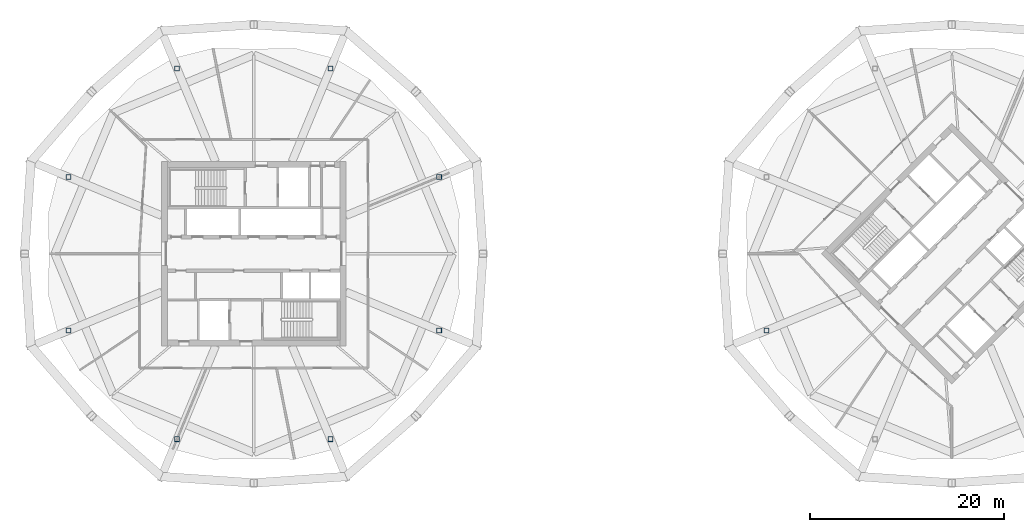
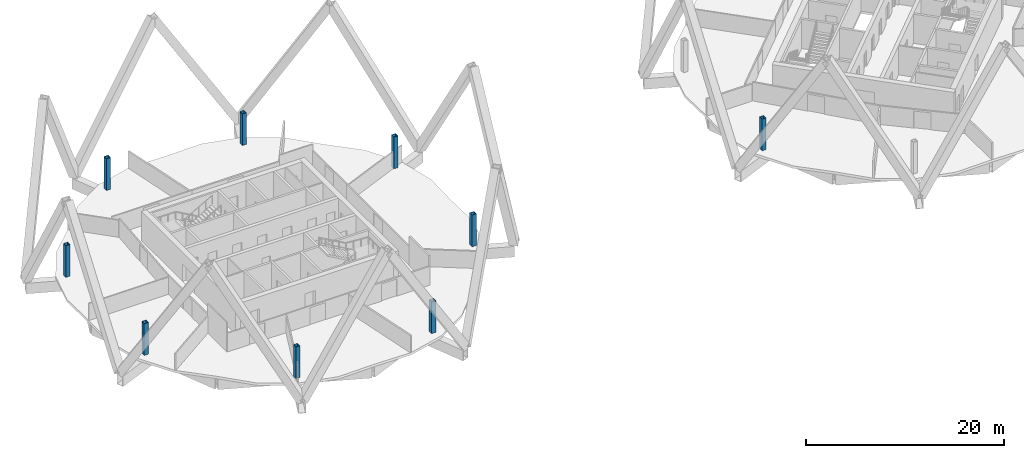
# One storey, part 1 of 9: 9 columns.
"""IFC4 building model written with IfcOpenShell, lengths in metres."""

from ifc_helpers import new_model, si_unit, direction, frame, origin, origin_2d, place, context, subcontext, project, spatial, hollow_rectangle, extrude, material, material_profile, profile_set, type_object, element, save


model = new_model("IFC4")

# Units and contexts
model_context = context("Model", 3, precision=1e-05, world=origin(), true_north=direction((0.0, 1.0)))
body_context = subcontext(model_context, "Body", "Model", "MODEL_VIEW")
ifc_project = project(units=[si_unit("LENGTHUNIT", "METRE"), si_unit("AREAUNIT", "SQUARE_METRE"), si_unit("VOLUMEUNIT", "CUBIC_METRE"), si_unit("PLANEANGLEUNIT", "RADIAN"), si_unit("MASSUNIT", "GRAM", prefix="KILO")], contexts=[model_context])

# Site, building, storey
site_placement = place(None, origin())
site = spatial("IfcSite", under=ifc_project, at=site_placement, CompositionType="ELEMENT")
building_placement = place(site_placement, origin())
building = spatial("IfcBuilding", under=site, at=building_placement, Name="Ogive Gate Towers", CompositionType="ELEMENT")
storey_placement = place(building_placement, frame((0.0, 0.0, 200.699951171875)))
storey = spatial("IfcBuildingStorey", under=building, at=storey_placement, Name="L48", CompositionType="ELEMENT", Elevation=200.699951171875)

# Columns
ifc_material = material(Name="Steel SM460", Category="steel")
ifc_material_profile = material_profile(ifc_material, hollow_rectangle(XDim=0.5, YDim=0.5, WallThickness=0.030029296875, at=origin_2d()), Name="BX 500x500x30")
ifc_profile_set = profile_set([ifc_material_profile], Name="Steel SM460")
column_type = type_object("IfcColumnType", Name="Perimeter post BX 500x500x30", PredefinedType="COLUMN", material=ifc_profile_set)
for number, where, z_axis, x_axis, name in (
    (1, (-16.885009765625, 7.917724609375, 0.0), (0.0, 0.0, 1.0), (1.0, 0.0, 0.0), "T1/L48/SCL001"),
    (2, (-28.082275390625, 19.114990234375, 0.0), (0.0, 0.0, 1.0), (1.0, 0.0, 0.0), "T1/L48/SCL002"),
    (3, (-43.917724609375, 19.114990234375, 0.0), (0.0, 0.0, 1.0), (1.0, 0.0, 0.0), "T1/L48/SCL003"),
    (4, (-55.114990234375, 7.917724609375, 0.0), (0.0, 0.0, 1.0), (1.0, 0.0, 0.0), "T1/L48/SCL004"),
    (5, (-55.114990234375, -7.917724609375, 0.0), (0.0, 0.0, 1.0), (1.0, 0.0, 0.0), "T1/L48/SCL005"),
    (6, (-43.917724609375, -19.114990234375, 0.0), (0.0, 0.0, 1.0), (1.0, 0.0, 0.0), "T1/L48/SCL006"),
    (7, (-28.082275390625, -19.114990234375, 0.0), (0.0, 0.0, 1.0), (1.0, 0.0, 0.0), "T1/L48/SCL007"),
    (8, (-16.885009765625, -7.917724609375, 0.0), (0.0, 0.0, 1.0), (1.0, 0.0, 0.0), "T1/L48/SCL008"),
    (9, (16.885009765625, -7.917724609375, 0.0), (0.0, 0.0, 1.0), (1.0, 0.0, 0.0), "T2/L48/SCL005"),
):
    element("IfcColumn", number, at=place(storey_placement, frame(where, z_axis=z_axis, x_axis=x_axis)), inside=storey, type_object=column_type, Name=name, PredefinedType="COLUMN", context=body_context, shape_type="SweptSolid", body=[
        extrude(hollow_rectangle(XDim=0.5, YDim=0.5, WallThickness=0.030029296875, at=origin_2d()), origin(), (0.0, 0.0, 1.0), 3.900146484375),
    ])

save(model, "model.ifc")
